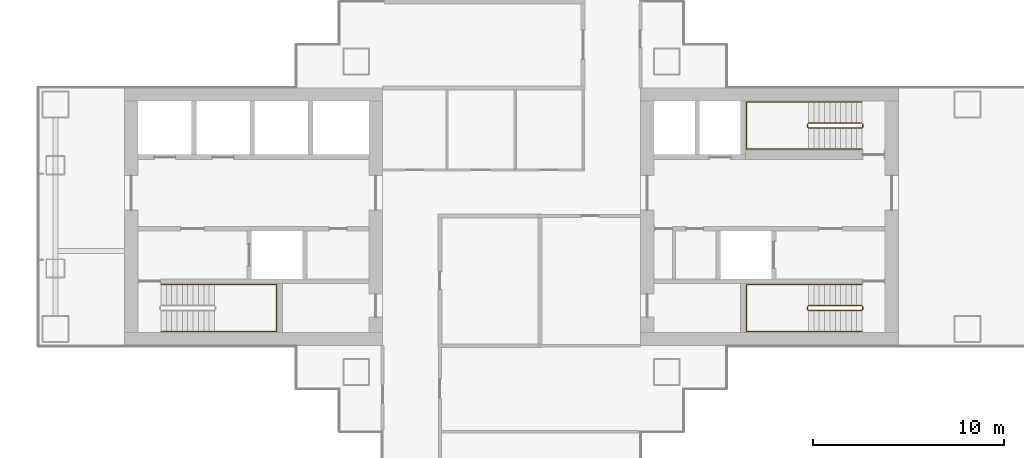
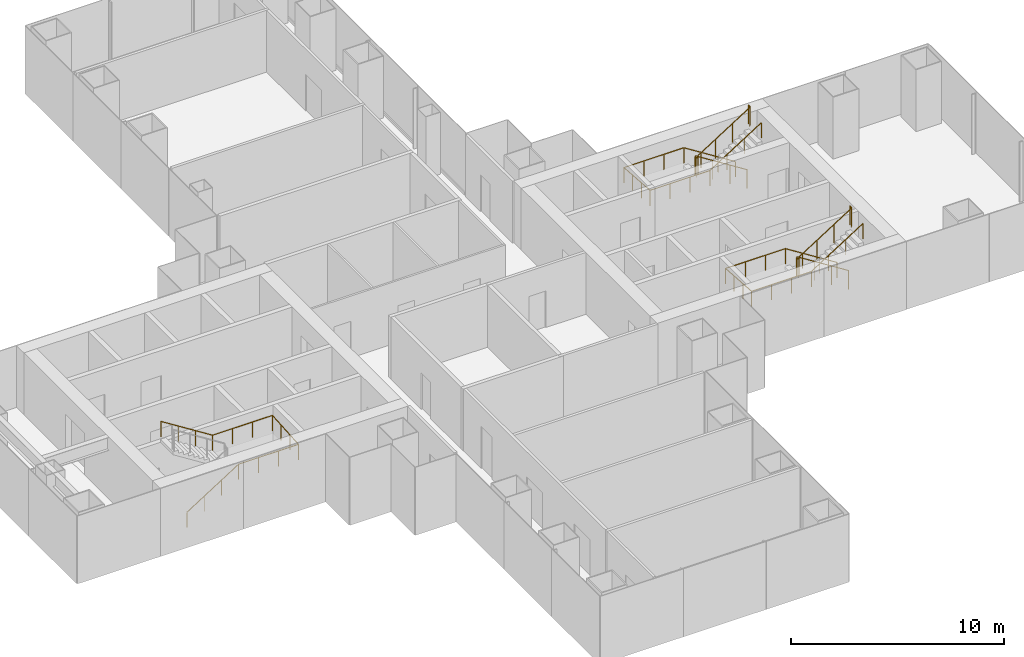
# One storey, part 20 of 21: 5 railings.
"""IFC4 building model written with IfcOpenShell, lengths in metres."""

from ifc_helpers import new_model, si_unit, direction, frame, origin, origin_2d, place, context, subcontext, project, spatial, circle, extrude, material, type_object, element, save


model = new_model("IFC4")

# Units and contexts
model_context = context("Model", 3, precision=1e-05, world=origin(), true_north=direction((0.0, 1.0)))
body_context = subcontext(model_context, "Body", "Model", "MODEL_VIEW")
ifc_project = project(units=[si_unit("LENGTHUNIT", "METRE"), si_unit("AREAUNIT", "SQUARE_METRE"), si_unit("VOLUMEUNIT", "CUBIC_METRE"), si_unit("PLANEANGLEUNIT", "RADIAN"), si_unit("MASSUNIT", "GRAM", prefix="KILO")], contexts=[model_context])

# Site, building, storey
site_placement = place(None, origin())
site = spatial("IfcSite", under=ifc_project, at=site_placement, CompositionType="ELEMENT")
building_placement = place(site_placement, origin())
building = spatial("IfcBuilding", under=site, at=building_placement, Name="Shamsa Quay Exchange Towers", CompositionType="ELEMENT")
storey_placement = place(building_placement, frame((0.0, 0.0, 42.0)))
storey = spatial("IfcBuildingStorey", under=building, at=storey_placement, Name="L08", CompositionType="ELEMENT", Elevation=42.0)

# Railings
ifc_material = material(Name="Stainless steel", Category="steel")
railing_type_1 = type_object("IfcRailingType", Name="STAIR GUARD 1100", PredefinedType="GUARDRAIL", material=ifc_material)
railing_1_placement = place(storey_placement, frame((52.10009765625, -4.64990234375, 0.17724609375)))
element("IfcRailing", 1, at=railing_1_placement, inside=storey, type_object=railing_type_1, Name="L08 ST5 stair guard 1", PredefinedType="GUARDRAIL", context=body_context, shape_type="SweptSolid", body=[
    extrude(circle(Radius=0.02392578125, at=origin_2d()), frame((0.0, 0.0, 1.076171875), z_axis=(-0.844908973607, 0.0, 0.534910110503), x_axis=(0.0, -1.0, 0.0)), (0.0, 0.0, 1.0), 3.31396484375),
    extrude(circle(Radius=0.02392578125, at=origin_2d()), frame((-2.800048828125, 0.0, 2.8486328125), z_axis=(-0.707106781187, -0.707106781187, 0.0), x_axis=(0.707106781187, -0.707106781187, 0.0)), (0.0, 0.0, 1.0), 0.07080078125),
    extrude(circle(Radius=0.02392578125, at=origin_2d()), frame((-2.85009765625, -0.050048828125, 2.8486328125), z_axis=(0.0, -1.0, 0.0), x_axis=(1.0, 0.0, 0.0)), (0.0, 0.0, 1.0), 0.150146484375),
    extrude(circle(Radius=0.02392578125, at=origin_2d()), frame((-2.85009765625, -0.2001953125, 2.8486328125), z_axis=(0.262321481514, -0.261041864531, 0.929001929653), x_axis=(0.705375805398, 0.708833529934, 0.0)), (0.0, 0.0, 1.0), 0.190673828125),
    extrude(circle(Radius=0.02392578125, at=origin_2d()), frame((-2.800048828125, -0.25, 3.02587890625), z_axis=(0.844908973607, 0.0, 0.534910110503), x_axis=(0.0, 1.0, 0.0)), (0.0, 0.0, 1.0), 3.31396484375),
    extrude(circle(Radius=0.02392578125, at=origin_2d()), frame((0.0, -0.25, 4.798828125), z_axis=(0.241699205484, 0.970351222016, 0.0), x_axis=(-0.970351222016, 0.241699205484, 0.0)), (0.0, 0.0, 1.0), 0.2060546875),
    extrude(circle(Radius=0.02392578125, at=origin_2d()), frame((0.0498046875, -0.050048828125, 4.798828125), z_axis=(0.0, -1.0, 0.0), x_axis=(1.0, 0.0, 0.0)), (0.0, 0.0, 1.0), 0.150146484375),
    extrude(circle(Radius=0.02099609375, at=origin_2d()), origin(), (0.0, 0.0, 1.0), 1.052001953125),
    extrude(circle(Radius=0.02099609375, at=origin_2d()), frame((-0.933349609375, 0.0, 0.5908203125)), (0.0, 0.0, 1.0), 1.052001953125),
    extrude(circle(Radius=0.02099609375, at=origin_2d()), frame((-1.86669921875, 0.0, 1.181884765625)), (0.0, 0.0, 1.0), 1.052001953125),
    extrude(circle(Radius=0.02099609375, at=origin_2d()), frame((-2.800048828125, 0.0, 1.772705078125)), (0.0, 0.0, 1.0), 1.052001953125),
    extrude(circle(Radius=0.02099609375, at=origin_2d()), frame((-2.85009765625, -0.050048828125, 1.772705078125)), (0.0, 0.0, 1.0), 1.052001953125),
    extrude(circle(Radius=0.02099609375, at=origin_2d()), frame((-2.85009765625, -0.2001953125, 1.772705078125)), (0.0, 0.0, 1.0), 1.052001953125),
    extrude(circle(Radius=0.02099609375, at=origin_2d()), frame((-2.800048828125, -0.25, 1.949951171875)), (0.0, 0.0, 1.0), 1.052001953125),
    extrude(circle(Radius=0.02099609375, at=origin_2d()), frame((-1.86669921875, -0.25, 2.540771484375)), (0.0, 0.0, 1.0), 1.052001953125),
    extrude(circle(Radius=0.02099609375, at=origin_2d()), frame((-0.933349609375, -0.25, 3.1318359375)), (0.0, 0.0, 1.0), 1.052001953125),
    extrude(circle(Radius=0.02099609375, at=origin_2d()), frame((0.0, -0.25, 3.72265625)), (0.0, 0.0, 1.0), 1.052001953125),
    extrude(circle(Radius=0.02099609375, at=origin_2d()), frame((0.0498046875, -0.050048828125, 3.72265625)), (0.0, 0.0, 1.0), 1.052001953125),
    extrude(circle(Radius=0.02099609375, at=origin_2d()), frame((0.0498046875, -0.2001953125, 3.72265625)), (0.0, 0.0, 1.0), 1.052001953125),
])
railing_2_placement = place(storey_placement, frame((52.10009765625, 4.89990234375, 0.17724609375)))
element("IfcRailing", 2, at=railing_2_placement, inside=storey, type_object=railing_type_1, Name="L08 ST6 stair guard 1", PredefinedType="GUARDRAIL", context=body_context, shape_type="SweptSolid", body=[
    extrude(circle(Radius=0.02392578125, at=origin_2d()), frame((0.0, 0.0, 1.076171875), z_axis=(-0.844908973607, 0.0, 0.534910110503), x_axis=(0.0, -1.0, 0.0)), (0.0, 0.0, 1.0), 3.31396484375),
    extrude(circle(Radius=0.02392578125, at=origin_2d()), frame((-2.800048828125, 0.0, 2.8486328125), z_axis=(-0.708833529934, -0.705375805398, 0.0), x_axis=(0.705375805398, -0.708833529934, 0.0)), (0.0, 0.0, 1.0), 0.070556640625),
    extrude(circle(Radius=0.02392578125, at=origin_2d()), frame((-2.85009765625, -0.0498046875, 2.8486328125), z_axis=(0.0, -1.0, 0.0), x_axis=(1.0, 0.0, 0.0)), (0.0, 0.0, 1.0), 0.150146484375),
    extrude(circle(Radius=0.02392578125, at=origin_2d()), frame((-2.85009765625, -0.199951171875, 2.8486328125), z_axis=(0.262233686654, -0.262233686654, 0.928691007369), x_axis=(0.707106781187, 0.707106781187, 0.0)), (0.0, 0.0, 1.0), 0.19091796875),
    extrude(circle(Radius=0.02392578125, at=origin_2d()), frame((-2.800048828125, -0.25, 3.02587890625), z_axis=(0.844908973607, 0.0, 0.534910110503), x_axis=(0.0, 1.0, 0.0)), (0.0, 0.0, 1.0), 3.31396484375),
    extrude(circle(Radius=0.02392578125, at=origin_2d()), frame((0.0, -0.25, 4.798828125), z_axis=(0.24142163986, 0.970420317083, 0.0), x_axis=(-0.970420317083, 0.24142163986, 0.0)), (0.0, 0.0, 1.0), 0.206298828125),
    extrude(circle(Radius=0.02392578125, at=origin_2d()), frame((0.0498046875, -0.0498046875, 4.798828125), z_axis=(0.0, -1.0, 0.0), x_axis=(1.0, 0.0, 0.0)), (0.0, 0.0, 1.0), 0.150146484375),
    extrude(circle(Radius=0.02099609375, at=origin_2d()), origin(), (0.0, 0.0, 1.0), 1.052001953125),
    extrude(circle(Radius=0.02099609375, at=origin_2d()), frame((-0.933349609375, 0.0, 0.5908203125)), (0.0, 0.0, 1.0), 1.052001953125),
    extrude(circle(Radius=0.02099609375, at=origin_2d()), frame((-1.86669921875, 0.0, 1.181884765625)), (0.0, 0.0, 1.0), 1.052001953125),
    extrude(circle(Radius=0.02099609375, at=origin_2d()), frame((-2.800048828125, 0.0, 1.772705078125)), (0.0, 0.0, 1.0), 1.052001953125),
    extrude(circle(Radius=0.02099609375, at=origin_2d()), frame((-2.85009765625, -0.0498046875, 1.772705078125)), (0.0, 0.0, 1.0), 1.052001953125),
    extrude(circle(Radius=0.02099609375, at=origin_2d()), frame((-2.85009765625, -0.199951171875, 1.772705078125)), (0.0, 0.0, 1.0), 1.052001953125),
    extrude(circle(Radius=0.02099609375, at=origin_2d()), frame((-2.800048828125, -0.25, 1.949951171875)), (0.0, 0.0, 1.0), 1.052001953125),
    extrude(circle(Radius=0.02099609375, at=origin_2d()), frame((-1.86669921875, -0.25, 2.540771484375)), (0.0, 0.0, 1.0), 1.052001953125),
    extrude(circle(Radius=0.02099609375, at=origin_2d()), frame((-0.933349609375, -0.25, 3.1318359375)), (0.0, 0.0, 1.0), 1.052001953125),
    extrude(circle(Radius=0.02099609375, at=origin_2d()), frame((0.0, -0.25, 3.72265625)), (0.0, 0.0, 1.0), 1.052001953125),
    extrude(circle(Radius=0.02099609375, at=origin_2d()), frame((0.0498046875, -0.0498046875, 3.72265625)), (0.0, 0.0, 1.0), 1.052001953125),
    extrude(circle(Radius=0.02099609375, at=origin_2d()), frame((0.0498046875, -0.199951171875, 3.72265625)), (0.0, 0.0, 1.0), 1.052001953125),
])
railing_type_2 = type_object("IfcRailingType", Name="STAIR HANDRAIL 900", PredefinedType="HANDRAIL", material=ifc_material)
railing_3_placement = place(storey_placement, frame((15.39990234375, -6.0, 0.17724609375)))
element("IfcRailing", 3, at=railing_3_placement, inside=storey, type_object=railing_type_2, Name="L08 ST4 stair handrail 1", PredefinedType="HANDRAIL", context=body_context, shape_type="SweptSolid", body=[
    extrude(circle(Radius=0.02392578125, at=origin_2d()), frame((0.0, 0.0, 0.8759765625), z_axis=(0.844908973607, 0.0, 0.534910110503), x_axis=(0.0, 1.0, 0.0)), (0.0, 0.0, 1.0), 3.31396484375),
    extrude(circle(Radius=0.02392578125, at=origin_2d()), frame((2.800048828125, 0.0, 2.6484375), z_axis=(1.0, 0.0, 0.0), x_axis=(0.0, 1.0, 0.0)), (0.0, 0.0, 1.0), 3.25),
    extrude(circle(Radius=0.02392578125, at=origin_2d()), frame((6.050048828125, 0.0, 2.6484375), z_axis=(0.0, 0.997393199914, 0.07215819264), x_axis=(-1.0, 0.0, 0.0)), (0.0, 0.0, 1.0), 2.456298828125),
    extrude(circle(Radius=0.02392578125, at=origin_2d()), frame((6.050048828125, 2.449951171875, 2.82568359375), z_axis=(-1.0, 0.0, 0.0), x_axis=(0.0, -1.0, 0.0)), (0.0, 0.0, 1.0), 3.25),
    extrude(circle(Radius=0.02392578125, at=origin_2d()), frame((2.800048828125, 2.449951171875, 2.82568359375), z_axis=(-0.844908973607, 0.0, 0.534910110503), x_axis=(0.0, -1.0, 0.0)), (0.0, 0.0, 1.0), 3.31396484375),
    extrude(circle(Radius=0.02099609375, at=origin_2d()), origin(), (0.0, 0.0, 1.0), 0.851806640625),
    extrude(circle(Radius=0.02099609375, at=origin_2d()), frame((0.933349609375, 0.0, 0.5908203125)), (0.0, 0.0, 1.0), 0.851806640625),
    extrude(circle(Radius=0.02099609375, at=origin_2d()), frame((1.86669921875, 0.0, 1.181884765625)), (0.0, 0.0, 1.0), 0.851806640625),
    extrude(circle(Radius=0.02099609375, at=origin_2d()), frame((2.800048828125, 0.0, 1.772705078125)), (0.0, 0.0, 1.0), 0.851806640625),
    extrude(circle(Radius=0.02099609375, at=origin_2d()), frame((3.88330078125, 0.0, 1.772705078125)), (0.0, 0.0, 1.0), 0.851806640625),
    extrude(circle(Radius=0.02099609375, at=origin_2d()), frame((4.966796875, 0.0, 1.772705078125)), (0.0, 0.0, 1.0), 0.851806640625),
    extrude(circle(Radius=0.02099609375, at=origin_2d()), frame((6.050048828125, 0.0, 1.772705078125)), (0.0, 0.0, 1.0), 0.851806640625),
    extrude(circle(Radius=0.02099609375, at=origin_2d()), frame((6.050048828125, 0.816650390625, 1.831787109375)), (0.0, 0.0, 1.0), 0.851806640625),
    extrude(circle(Radius=0.02099609375, at=origin_2d()), frame((6.050048828125, 1.63330078125, 1.890869140625)), (0.0, 0.0, 1.0), 0.851806640625),
    extrude(circle(Radius=0.02099609375, at=origin_2d()), frame((6.050048828125, 2.449951171875, 1.949951171875)), (0.0, 0.0, 1.0), 0.851806640625),
    extrude(circle(Radius=0.02099609375, at=origin_2d()), frame((4.966796875, 2.449951171875, 1.949951171875)), (0.0, 0.0, 1.0), 0.851806640625),
    extrude(circle(Radius=0.02099609375, at=origin_2d()), frame((3.88330078125, 2.449951171875, 1.949951171875)), (0.0, 0.0, 1.0), 0.851806640625),
    extrude(circle(Radius=0.02099609375, at=origin_2d()), frame((2.800048828125, 2.449951171875, 1.949951171875)), (0.0, 0.0, 1.0), 0.851806640625),
    extrude(circle(Radius=0.02099609375, at=origin_2d()), frame((1.86669921875, 2.449951171875, 2.540771484375)), (0.0, 0.0, 1.0), 0.851806640625),
    extrude(circle(Radius=0.02099609375, at=origin_2d()), frame((0.933349609375, 2.449951171875, 3.1318359375)), (0.0, 0.0, 1.0), 0.851806640625),
    extrude(circle(Radius=0.02099609375, at=origin_2d()), frame((0.0, 2.449951171875, 3.72265625)), (0.0, 0.0, 1.0), 0.851806640625),
])
railing_4_placement = place(storey_placement, frame((52.10009765625, -3.550048828125, 0.17724609375)))
element("IfcRailing", 4, at=railing_4_placement, inside=storey, type_object=railing_type_2, Name="L08 ST5 stair handrail 1", PredefinedType="HANDRAIL", context=body_context, shape_type="SweptSolid", body=[
    extrude(circle(Radius=0.02392578125, at=origin_2d()), frame((0.0, 0.0, 0.8759765625), z_axis=(-0.844908973607, 0.0, 0.534910110503), x_axis=(0.0, -1.0, 0.0)), (0.0, 0.0, 1.0), 3.31396484375),
    extrude(circle(Radius=0.02392578125, at=origin_2d()), frame((-2.800048828125, 0.0, 2.6484375), z_axis=(-1.0, 0.0, 0.0), x_axis=(0.0, -1.0, 0.0)), (0.0, 0.0, 1.0), 3.25),
    extrude(circle(Radius=0.02392578125, at=origin_2d()), frame((-6.050048828125, 0.0, 2.6484375), z_axis=(0.0, -0.997393199914, 0.07215819264), x_axis=(1.0, 0.0, 0.0)), (0.0, 0.0, 1.0), 2.456298828125),
    extrude(circle(Radius=0.02392578125, at=origin_2d()), frame((-6.050048828125, -2.449951171875, 2.82568359375), z_axis=(1.0, 0.0, 0.0), x_axis=(0.0, 1.0, 0.0)), (0.0, 0.0, 1.0), 3.25),
    extrude(circle(Radius=0.02392578125, at=origin_2d()), frame((-2.800048828125, -2.449951171875, 2.82568359375), z_axis=(0.844908973607, 0.0, 0.534910110503), x_axis=(0.0, 1.0, 0.0)), (0.0, 0.0, 1.0), 3.31396484375),
    extrude(circle(Radius=0.02099609375, at=origin_2d()), origin(), (0.0, 0.0, 1.0), 0.851806640625),
    extrude(circle(Radius=0.02099609375, at=origin_2d()), frame((-0.933349609375, 0.0, 0.5908203125)), (0.0, 0.0, 1.0), 0.851806640625),
    extrude(circle(Radius=0.02099609375, at=origin_2d()), frame((-1.86669921875, 0.0, 1.181884765625)), (0.0, 0.0, 1.0), 0.851806640625),
    extrude(circle(Radius=0.02099609375, at=origin_2d()), frame((-2.800048828125, 0.0, 1.772705078125)), (0.0, 0.0, 1.0), 0.851806640625),
    extrude(circle(Radius=0.02099609375, at=origin_2d()), frame((-3.88330078125, 0.0, 1.772705078125)), (0.0, 0.0, 1.0), 0.851806640625),
    extrude(circle(Radius=0.02099609375, at=origin_2d()), frame((-4.966796875, 0.0, 1.772705078125)), (0.0, 0.0, 1.0), 0.851806640625),
    extrude(circle(Radius=0.02099609375, at=origin_2d()), frame((-6.050048828125, 0.0, 1.772705078125)), (0.0, 0.0, 1.0), 0.851806640625),
    extrude(circle(Radius=0.02099609375, at=origin_2d()), frame((-6.050048828125, -0.816650390625, 1.831787109375)), (0.0, 0.0, 1.0), 0.851806640625),
    extrude(circle(Radius=0.02099609375, at=origin_2d()), frame((-6.050048828125, -1.63330078125, 1.890869140625)), (0.0, 0.0, 1.0), 0.851806640625),
    extrude(circle(Radius=0.02099609375, at=origin_2d()), frame((-6.050048828125, -2.449951171875, 1.949951171875)), (0.0, 0.0, 1.0), 0.851806640625),
    extrude(circle(Radius=0.02099609375, at=origin_2d()), frame((-4.966796875, -2.449951171875, 1.949951171875)), (0.0, 0.0, 1.0), 0.851806640625),
    extrude(circle(Radius=0.02099609375, at=origin_2d()), frame((-3.88330078125, -2.449951171875, 1.949951171875)), (0.0, 0.0, 1.0), 0.851806640625),
    extrude(circle(Radius=0.02099609375, at=origin_2d()), frame((-2.800048828125, -2.449951171875, 1.949951171875)), (0.0, 0.0, 1.0), 0.851806640625),
    extrude(circle(Radius=0.02099609375, at=origin_2d()), frame((-1.86669921875, -2.449951171875, 2.540771484375)), (0.0, 0.0, 1.0), 0.851806640625),
    extrude(circle(Radius=0.02099609375, at=origin_2d()), frame((-0.933349609375, -2.449951171875, 3.1318359375)), (0.0, 0.0, 1.0), 0.851806640625),
    extrude(circle(Radius=0.02099609375, at=origin_2d()), frame((0.0, -2.449951171875, 3.72265625)), (0.0, 0.0, 1.0), 0.851806640625),
])
railing_5_placement = place(storey_placement, frame((52.10009765625, 6.0, 0.17724609375)))
element("IfcRailing", 5, at=railing_5_placement, inside=storey, type_object=railing_type_2, Name="L08 ST6 stair handrail 1", PredefinedType="HANDRAIL", context=body_context, shape_type="SweptSolid", body=[
    extrude(circle(Radius=0.02392578125, at=origin_2d()), frame((0.0, 0.0, 0.8759765625), z_axis=(-0.844908973607, 0.0, 0.534910110503), x_axis=(0.0, -1.0, 0.0)), (0.0, 0.0, 1.0), 3.31396484375),
    extrude(circle(Radius=0.02392578125, at=origin_2d()), frame((-2.800048828125, 0.0, 2.6484375), z_axis=(-1.0, 0.0, 0.0), x_axis=(0.0, -1.0, 0.0)), (0.0, 0.0, 1.0), 3.25),
    extrude(circle(Radius=0.02392578125, at=origin_2d()), frame((-6.050048828125, 0.0, 2.6484375), z_axis=(0.0, -0.997393199914, 0.07215819264), x_axis=(1.0, 0.0, 0.0)), (0.0, 0.0, 1.0), 2.456298828125),
    extrude(circle(Radius=0.02392578125, at=origin_2d()), frame((-6.050048828125, -2.449951171875, 2.82568359375), z_axis=(1.0, 0.0, 0.0), x_axis=(0.0, 1.0, 0.0)), (0.0, 0.0, 1.0), 3.25),
    extrude(circle(Radius=0.02392578125, at=origin_2d()), frame((-2.800048828125, -2.449951171875, 2.82568359375), z_axis=(0.844908973607, 0.0, 0.534910110503), x_axis=(0.0, 1.0, 0.0)), (0.0, 0.0, 1.0), 3.31396484375),
    extrude(circle(Radius=0.02099609375, at=origin_2d()), origin(), (0.0, 0.0, 1.0), 0.851806640625),
    extrude(circle(Radius=0.02099609375, at=origin_2d()), frame((-0.933349609375, 0.0, 0.5908203125)), (0.0, 0.0, 1.0), 0.851806640625),
    extrude(circle(Radius=0.02099609375, at=origin_2d()), frame((-1.86669921875, 0.0, 1.181884765625)), (0.0, 0.0, 1.0), 0.851806640625),
    extrude(circle(Radius=0.02099609375, at=origin_2d()), frame((-2.800048828125, 0.0, 1.772705078125)), (0.0, 0.0, 1.0), 0.851806640625),
    extrude(circle(Radius=0.02099609375, at=origin_2d()), frame((-3.88330078125, 0.0, 1.772705078125)), (0.0, 0.0, 1.0), 0.851806640625),
    extrude(circle(Radius=0.02099609375, at=origin_2d()), frame((-4.966796875, 0.0, 1.772705078125)), (0.0, 0.0, 1.0), 0.851806640625),
    extrude(circle(Radius=0.02099609375, at=origin_2d()), frame((-6.050048828125, 0.0, 1.772705078125)), (0.0, 0.0, 1.0), 0.851806640625),
    extrude(circle(Radius=0.02099609375, at=origin_2d()), frame((-6.050048828125, -0.816650390625, 1.831787109375)), (0.0, 0.0, 1.0), 0.851806640625),
    extrude(circle(Radius=0.02099609375, at=origin_2d()), frame((-6.050048828125, -1.63330078125, 1.890869140625)), (0.0, 0.0, 1.0), 0.851806640625),
    extrude(circle(Radius=0.02099609375, at=origin_2d()), frame((-6.050048828125, -2.449951171875, 1.949951171875)), (0.0, 0.0, 1.0), 0.851806640625),
    extrude(circle(Radius=0.02099609375, at=origin_2d()), frame((-4.966796875, -2.449951171875, 1.949951171875)), (0.0, 0.0, 1.0), 0.851806640625),
    extrude(circle(Radius=0.02099609375, at=origin_2d()), frame((-3.88330078125, -2.449951171875, 1.949951171875)), (0.0, 0.0, 1.0), 0.851806640625),
    extrude(circle(Radius=0.02099609375, at=origin_2d()), frame((-2.800048828125, -2.449951171875, 1.949951171875)), (0.0, 0.0, 1.0), 0.851806640625),
    extrude(circle(Radius=0.02099609375, at=origin_2d()), frame((-1.86669921875, -2.449951171875, 2.540771484375)), (0.0, 0.0, 1.0), 0.851806640625),
    extrude(circle(Radius=0.02099609375, at=origin_2d()), frame((-0.933349609375, -2.449951171875, 3.1318359375)), (0.0, 0.0, 1.0), 0.851806640625),
    extrude(circle(Radius=0.02099609375, at=origin_2d()), frame((0.0, -2.449951171875, 3.72265625)), (0.0, 0.0, 1.0), 0.851806640625),
])

save(model, "model.ifc")
